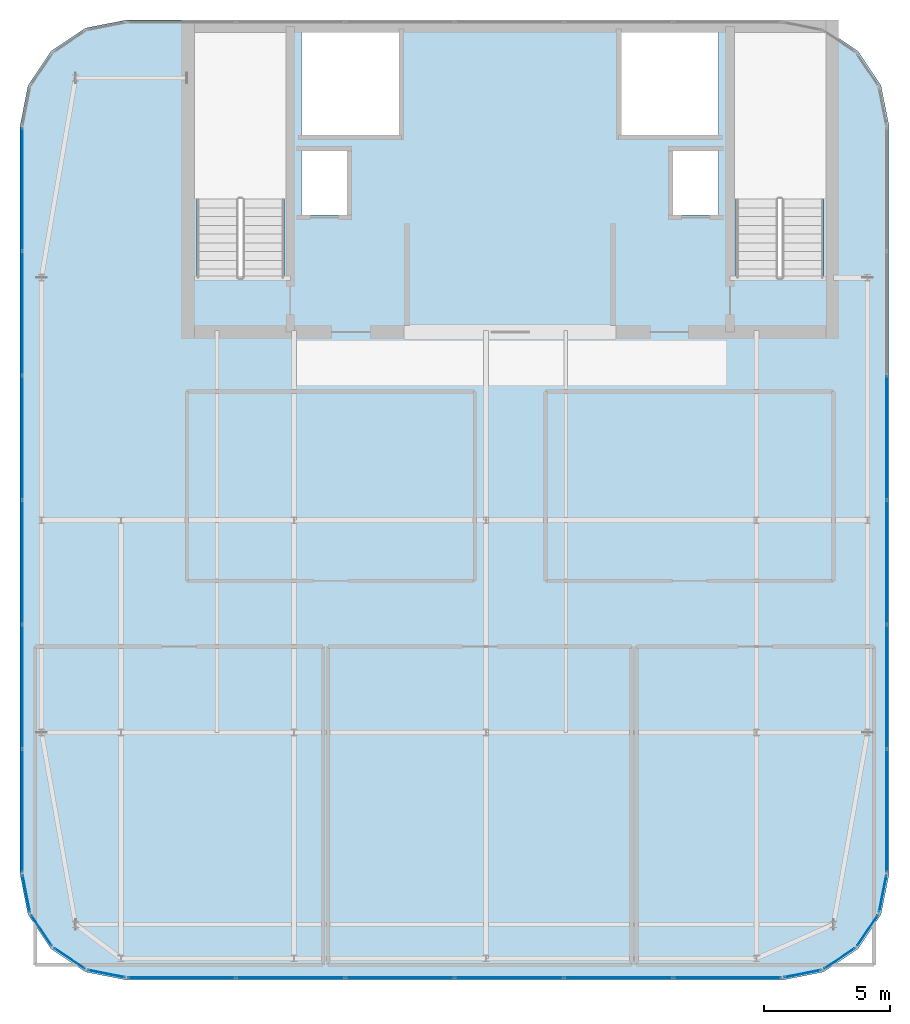
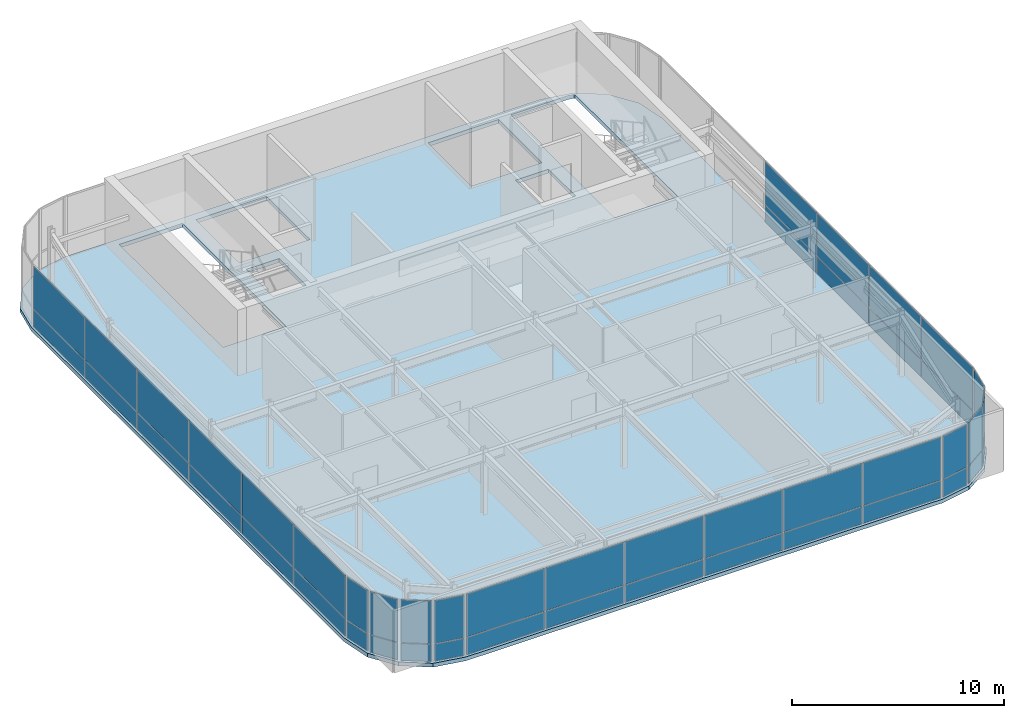
# One storey, part 29 of 36: 48 plates, 1 slab, 11 elements without a shape of their own.
"""IFC4 building model written with IfcOpenShell, lengths in metres."""

from ifc_helpers import new_model, si_unit, direction, frame, origin, origin_2d, place, context, subcontext, project, spatial, polyline, rectangle, outline, extrude, source, transform, mapped, material, layer, layer_set, type_object, type_shapes, element, aggregate, save


model = new_model("IFC4")

# Units and contexts
model_context = context("Model", 3, precision=1e-05, world=origin(), true_north=direction((0.0, 1.0)))
body_context = subcontext(model_context, "Body", "Model", "MODEL_VIEW")
ifc_project = project(units=[si_unit("LENGTHUNIT", "METRE"), si_unit("AREAUNIT", "SQUARE_METRE"), si_unit("VOLUMEUNIT", "CUBIC_METRE"), si_unit("PLANEANGLEUNIT", "RADIAN"), si_unit("MASSUNIT", "GRAM", prefix="KILO")], contexts=[model_context])

# Site, building, storey
site_placement = place(None, origin())
site = spatial("IfcSite", under=ifc_project, at=site_placement, CompositionType="ELEMENT")
building_placement = place(site_placement, origin())
building = spatial("IfcBuilding", under=site, at=building_placement, Name="Tolvann Quenvar Hotel", CompositionType="ELEMENT")
storey_placement = place(building_placement, frame((0.0, 0.0, 302.35009765625)))
storey = spatial("IfcBuildingStorey", under=building, at=storey_placement, Name="L80", CompositionType="ELEMENT", Elevation=302.35009765625)

# Slab
ifc_material_1 = material(Name="Concrete N50 (50 MPa)", Category="concrete")
ifc_layer_1 = layer(ifc_material_1, 0.219970703125)
ifc_layer_set_1 = layer_set([ifc_layer_1], Name="Concrete N50 (50 MPa)")
slab_type = type_object("IfcSlabType", Name="SLAB_UPR_220", PredefinedType="FLOOR", material=ifc_layer_set_1)
slab_placement = place(storey_placement, frame((0.0, 0.0, -0.22021484375)))
element("IfcSlab", 1, at=slab_placement, inside=storey, type_object=slab_type, Name="Level L80 Structural Floor Slab", PredefinedType="FLOOR", context=body_context, shape_type="SweptSolid", body=[
    extrude(outline(polyline([(3.60009765625, 10.39990234375), (3.919677734375, 8.792724609375), (4.830078125, 7.43017578125), (6.192626953125, 6.519775390625), (7.800048828125, 6.199951171875), (33.800048828125, 6.199951171875), (35.4072265625, 6.519775390625), (36.769775390625, 7.43017578125), (37.680419921875, 8.792724609375), (38.0, 10.39990234375), (38.0, 40.0), (37.680419921875, 41.607421875), (36.769775390625, 42.9697265625), (35.4072265625, 43.88037109375), (33.800048828125, 44.199951171875), (7.800048828125, 44.199951171875), (6.192626953125, 43.88037109375), (4.830078125, 42.9697265625), (3.919677734375, 41.607421875), (3.60009765625, 40.0), (3.60009765625, 10.39990234375)]), holes=[polyline([(35.093505859375, 43.800048828125), (35.352783203125, 43.748291015625), (35.39990234375, 43.716796875), (35.39990234375, 34.02490234375), (31.949951171875, 34.02490234375), (31.949951171875, 43.800048828125), (35.093505859375, 43.800048828125)]), polyline([(29.449951171875, 36.47998046875), (29.449951171875, 39.02001953125), (31.25, 39.02001953125), (31.25, 36.47998046875), (29.449951171875, 36.47998046875)]), polyline([(27.39990234375, 39.64990234375), (27.39990234375, 43.75), (31.25, 43.75), (31.25, 39.64990234375), (27.39990234375, 39.64990234375)]), polyline([(14.75, 39.64990234375), (14.75, 43.75), (18.60009765625, 43.75), (18.60009765625, 39.64990234375), (14.75, 39.64990234375)]), polyline([(16.550048828125, 36.47998046875), (14.75, 36.47998046875), (14.75, 39.02001953125), (16.550048828125, 39.02001953125), (16.550048828125, 36.47998046875)]), polyline([(14.050048828125, 34.02490234375), (10.60009765625, 34.02490234375), (10.60009765625, 43.800048828125), (14.050048828125, 43.800048828125), (14.050048828125, 34.02490234375)])]), origin(), (0.0, 0.0, 1.0), 0.22021484375),
])

# Curtain wall, plate
ifc_material_2 = material(Name="Thermally broken anodised architectural aluminium 6063-T6 and laminated low-E glass", Category="aluminium")
ifc_layer_2 = layer(ifc_material_2, 0.179931640625)
ifc_layer_set_2 = layer_set([ifc_layer_2], Name="Thermally broken anodised architectural aluminium 6063-T6 and laminated low-E glass")
curtain_wall_type = type_object("IfcCurtainWallType", Name="CW_SYS_LANT_06", PredefinedType="USERDEFINED", material=ifc_layer_set_2)
curtain_wall_1_placement = place(storey_placement, origin())
curtain_wall_1 = element("IfcCurtainWall", 2, at=curtain_wall_1_placement, inside=storey, type_object=curtain_wall_type, Name="Curtain Wall CW-LANT-06 (CWR-L80-E01)", ObjectType="UNITISED CURTAIN WALL", PredefinedType="USERDEFINED")
ifc_material_3 = material(Name="Diffused translucent ceramic-frit laminated lantern glass", Category="glass")
ifc_layer_3 = layer(ifc_material_3, 0.031982421875)
ifc_layer_set_3 = layer_set([ifc_layer_3], Name="Diffused translucent ceramic-frit laminated lantern glass")
plate_type = type_object("IfcPlateType", Name="CW_PAN_LANT_32", PredefinedType="CURTAIN_PANEL", material=ifc_layer_set_3)
shared_shape_1 = source(origin(), body_context, "Body", "SweptSolid", [
    extrude(rectangle(XDim=1.439208984375, YDim=0.031982421875, at=origin_2d()), origin(), (0.0, 0.0, 1.0), 0.97509765625),
])
plate_1_placement = place(storey_placement, frame((4.44970703125, 8.16162109375, 0.0498046875), z_axis=(0.0, 0.0, 1.0), x_axis=(0.555655769644, -0.831412452193, 0.0)))
plate_1 = element("IfcPlate", 3, at=plate_1_placement, type_object=plate_type, Name="CW-LANT-06 panel 1.1", PredefinedType="CURTAIN_PANEL", context=body_context, shape_type="MappedRepresentation", body=[
    mapped(shared_shape_1, transform((0.0, 0.0, 0.0), x_axis=(1.0, 0.0, 0.0), y_axis=(0.0, 1.0, 0.0), z_axis=(0.0, 0.0, 1.0), scale=1.0)),
])

curtain_wall_2_placement = place(storey_placement, origin())
curtain_wall_2 = element("IfcCurtainWall", 4, at=curtain_wall_2_placement, inside=storey, type_object=curtain_wall_type, Name="Curtain Wall CW-LANT-06 (CWR-L80-E02)", ObjectType="UNITISED CURTAIN WALL", PredefinedType="USERDEFINED")
plate_2_placement = place(storey_placement, frame((5.5615234375, 7.0498046875, 0.0498046875), z_axis=(0.0, 0.0, 1.0), x_axis=(0.831412452193, -0.555655769644, 0.0)))
plate_2 = element("IfcPlate", 5, at=plate_2_placement, type_object=plate_type, Name="CW-LANT-06 panel 1.1", PredefinedType="CURTAIN_PANEL", context=body_context, shape_type="MappedRepresentation", body=[
    mapped(shared_shape_1, transform((0.0, 0.0, 0.0), x_axis=(1.0, 0.0, 0.0), y_axis=(0.0, 1.0, 0.0), z_axis=(0.0, 0.0, 1.0), scale=1.0)),
])

curtain_wall_3_placement = place(storey_placement, origin())
curtain_wall_3 = element("IfcCurtainWall", 6, at=curtain_wall_3_placement, inside=storey, type_object=curtain_wall_type, Name="Curtain Wall CW-LANT-06 (CWR-L80-E06)", ObjectType="UNITISED CURTAIN WALL", PredefinedType="USERDEFINED")
plate_3_placement = place(storey_placement, frame((36.03857421875, 7.0498046875, 0.0498046875), z_axis=(0.0, 0.0, 1.0), x_axis=(0.831412452193, 0.555655769644, 0.0)))
plate_3 = element("IfcPlate", 7, at=plate_3_placement, type_object=plate_type, Name="CW-LANT-06 panel 1.1", PredefinedType="CURTAIN_PANEL", context=body_context, shape_type="MappedRepresentation", body=[
    mapped(shared_shape_1, transform((0.0, 0.0, 0.0), x_axis=(1.0, 0.0, 0.0), y_axis=(0.0, 1.0, 0.0), z_axis=(0.0, 0.0, 1.0), scale=1.0)),
])

curtain_wall_4_placement = place(storey_placement, origin())
curtain_wall_4 = element("IfcCurtainWall", 8, at=curtain_wall_4_placement, inside=storey, type_object=curtain_wall_type, Name="Curtain Wall CW-LANT-06 (CWR-L80-E07)", ObjectType="UNITISED CURTAIN WALL", PredefinedType="USERDEFINED")
plate_4_placement = place(storey_placement, frame((37.150146484375, 8.16162109375, 0.0498046875), z_axis=(0.0, 0.0, 1.0), x_axis=(0.555655769644, 0.831412452193, 0.0)))
plate_4 = element("IfcPlate", 9, at=plate_4_placement, type_object=plate_type, Name="CW-LANT-06 panel 1.1", PredefinedType="CURTAIN_PANEL", context=body_context, shape_type="MappedRepresentation", body=[
    mapped(shared_shape_1, transform((0.0, 0.0, 0.0), x_axis=(1.0, 0.0, 0.0), y_axis=(0.0, 1.0, 0.0), z_axis=(0.0, 0.0, 1.0), scale=1.0)),
])

# Plate
shared_shape_2 = source(origin(), body_context, "Body", "SweptSolid", [
    extrude(rectangle(XDim=1.439208984375, YDim=0.031982421875, at=origin_2d()), origin(), (0.0, 0.0, 1.0), 2.455078125),
])
plate_5_placement = place(storey_placement, frame((4.44970703125, 8.16162109375, 1.074951171875), z_axis=(0.0, 0.0, 1.0), x_axis=(0.555655769644, -0.831412452193, 0.0)))
plate_5 = element("IfcPlate", 10, at=plate_5_placement, type_object=plate_type, Name="CW-LANT-06 panel 1.2", PredefinedType="CURTAIN_PANEL", context=body_context, shape_type="MappedRepresentation", body=[
    mapped(shared_shape_2, transform((0.0, 0.0, 0.0), x_axis=(1.0, 0.0, 0.0), y_axis=(0.0, 1.0, 0.0), z_axis=(0.0, 0.0, 1.0), scale=1.0)),
])

aggregate(curtain_wall_1, [plate_1, plate_5])

plate_6_placement = place(storey_placement, frame((5.5615234375, 7.0498046875, 1.074951171875), z_axis=(0.0, 0.0, 1.0), x_axis=(0.831412452193, -0.555655769644, 0.0)))
plate_6 = element("IfcPlate", 11, at=plate_6_placement, type_object=plate_type, Name="CW-LANT-06 panel 1.2", PredefinedType="CURTAIN_PANEL", context=body_context, shape_type="MappedRepresentation", body=[
    mapped(shared_shape_2, transform((0.0, 0.0, 0.0), x_axis=(1.0, 0.0, 0.0), y_axis=(0.0, 1.0, 0.0), z_axis=(0.0, 0.0, 1.0), scale=1.0)),
])

aggregate(curtain_wall_2, [plate_2, plate_6])

plate_7_placement = place(storey_placement, frame((36.03857421875, 7.0498046875, 1.074951171875), z_axis=(0.0, 0.0, 1.0), x_axis=(0.831412452193, 0.555655769644, 0.0)))
plate_7 = element("IfcPlate", 12, at=plate_7_placement, type_object=plate_type, Name="CW-LANT-06 panel 1.2", PredefinedType="CURTAIN_PANEL", context=body_context, shape_type="MappedRepresentation", body=[
    mapped(shared_shape_2, transform((0.0, 0.0, 0.0), x_axis=(1.0, 0.0, 0.0), y_axis=(0.0, 1.0, 0.0), z_axis=(0.0, 0.0, 1.0), scale=1.0)),
])

aggregate(curtain_wall_3, [plate_3, plate_7])

plate_8_placement = place(storey_placement, frame((37.150146484375, 8.16162109375, 1.074951171875), z_axis=(0.0, 0.0, 1.0), x_axis=(0.555655769644, 0.831412452193, 0.0)))
plate_8 = element("IfcPlate", 13, at=plate_8_placement, type_object=plate_type, Name="CW-LANT-06 panel 1.2", PredefinedType="CURTAIN_PANEL", context=body_context, shape_type="MappedRepresentation", body=[
    mapped(shared_shape_2, transform((0.0, 0.0, 0.0), x_axis=(1.0, 0.0, 0.0), y_axis=(0.0, 1.0, 0.0), z_axis=(0.0, 0.0, 1.0), scale=1.0)),
])

aggregate(curtain_wall_4, [plate_4, plate_8])

# Curtain wall, plate
curtain_wall_5_placement = place(storey_placement, origin())
curtain_wall_5 = element("IfcCurtainWall", 14, at=curtain_wall_5_placement, inside=storey, type_object=curtain_wall_type, Name="Curtain Wall CW-LANT-06 (CWR-L80-E03)", ObjectType="UNITISED CURTAIN WALL", PredefinedType="USERDEFINED")
shared_shape_3 = source(origin(), body_context, "Body", "SweptSolid", [
    extrude(rectangle(XDim=1.456787109375, YDim=0.031982421875, at=origin_2d()), origin(), (0.0, 0.0, 1.0), 0.97509765625),
])
plate_9_placement = place(storey_placement, frame((7.0224609375, 6.4462890625, 0.0498046875), z_axis=(0.0, 0.0, 1.0), x_axis=(0.980790999222, -0.195061569369, 0.0)))
plate_9 = element("IfcPlate", 15, at=plate_9_placement, type_object=plate_type, Name="CW-LANT-06 panel 1.1", PredefinedType="CURTAIN_PANEL", context=body_context, shape_type="MappedRepresentation", body=[
    mapped(shared_shape_3, transform((0.0, 0.0, 0.0), x_axis=(1.0, 0.0, 0.0), y_axis=(0.0, 1.0, 0.0), z_axis=(0.0, 0.0, 1.0), scale=1.0)),
])

curtain_wall_6_placement = place(storey_placement, origin())
curtain_wall_6 = element("IfcCurtainWall", 16, at=curtain_wall_6_placement, inside=storey, type_object=curtain_wall_type, Name="Curtain Wall CW-LANT-06 (CWR-L80-E05)", ObjectType="UNITISED CURTAIN WALL", PredefinedType="USERDEFINED")
plate_10_placement = place(storey_placement, frame((34.577392578125, 6.4462890625, 0.0498046875), z_axis=(0.0, 0.0, 1.0), x_axis=(0.980790999222, 0.195061569369, 0.0)))
plate_10 = element("IfcPlate", 17, at=plate_10_placement, type_object=plate_type, Name="CW-LANT-06 panel 1.1", PredefinedType="CURTAIN_PANEL", context=body_context, shape_type="MappedRepresentation", body=[
    mapped(shared_shape_3, transform((0.0, 0.0, 0.0), x_axis=(1.0, 0.0, 0.0), y_axis=(0.0, 1.0, 0.0), z_axis=(0.0, 0.0, 1.0), scale=1.0)),
])

curtain_wall_7_placement = place(storey_placement, origin())
curtain_wall_7 = element("IfcCurtainWall", 18, at=curtain_wall_7_placement, inside=storey, type_object=curtain_wall_type, Name="Curtain Wall CW-LANT-06 (CWR-L80-E08)", ObjectType="UNITISED CURTAIN WALL", PredefinedType="USERDEFINED")
plate_11_placement = place(storey_placement, frame((37.753662109375, 9.62255859375, 0.0498046875), z_axis=(0.0, 0.0, 1.0), x_axis=(0.195061569369, 0.980790999222, 0.0)))
plate_11 = element("IfcPlate", 19, at=plate_11_placement, type_object=plate_type, Name="CW-LANT-06 panel 1.1", PredefinedType="CURTAIN_PANEL", context=body_context, shape_type="MappedRepresentation", body=[
    mapped(shared_shape_3, transform((0.0, 0.0, 0.0), x_axis=(1.0, 0.0, 0.0), y_axis=(0.0, 1.0, 0.0), z_axis=(0.0, 0.0, 1.0), scale=1.0)),
])

curtain_wall_8_placement = place(storey_placement, origin())
curtain_wall_8 = element("IfcCurtainWall", 20, at=curtain_wall_8_placement, inside=storey, type_object=curtain_wall_type, Name="Curtain Wall CW-LANT-06 (CWR-L80-E20)", ObjectType="UNITISED CURTAIN WALL", PredefinedType="USERDEFINED")
plate_12_placement = place(storey_placement, frame((3.846435546875, 9.62255859375, 0.0498046875), z_axis=(0.0, 0.0, 1.0), x_axis=(0.195061569369, -0.980790999222, 0.0)))
plate_12 = element("IfcPlate", 21, at=plate_12_placement, type_object=plate_type, Name="CW-LANT-06 panel 1.1", PredefinedType="CURTAIN_PANEL", context=body_context, shape_type="MappedRepresentation", body=[
    mapped(shared_shape_3, transform((0.0, 0.0, 0.0), x_axis=(1.0, 0.0, 0.0), y_axis=(0.0, 1.0, 0.0), z_axis=(0.0, 0.0, 1.0), scale=1.0)),
])

# Plate
shared_shape_4 = source(origin(), body_context, "Body", "SweptSolid", [
    extrude(rectangle(XDim=1.456787109375, YDim=0.031982421875, at=origin_2d()), origin(), (0.0, 0.0, 1.0), 2.455078125),
])
plate_13_placement = place(storey_placement, frame((7.0224609375, 6.4462890625, 1.074951171875), z_axis=(0.0, 0.0, 1.0), x_axis=(0.980790999222, -0.195061569369, 0.0)))
plate_13 = element("IfcPlate", 22, at=plate_13_placement, type_object=plate_type, Name="CW-LANT-06 panel 1.2", PredefinedType="CURTAIN_PANEL", context=body_context, shape_type="MappedRepresentation", body=[
    mapped(shared_shape_4, transform((0.0, 0.0, 0.0), x_axis=(1.0, 0.0, 0.0), y_axis=(0.0, 1.0, 0.0), z_axis=(0.0, 0.0, 1.0), scale=1.0)),
])

aggregate(curtain_wall_5, [plate_9, plate_13])

plate_14_placement = place(storey_placement, frame((34.577392578125, 6.4462890625, 1.074951171875), z_axis=(0.0, 0.0, 1.0), x_axis=(0.980790999222, 0.195061569369, 0.0)))
plate_14 = element("IfcPlate", 23, at=plate_14_placement, type_object=plate_type, Name="CW-LANT-06 panel 1.2", PredefinedType="CURTAIN_PANEL", context=body_context, shape_type="MappedRepresentation", body=[
    mapped(shared_shape_4, transform((0.0, 0.0, 0.0), x_axis=(1.0, 0.0, 0.0), y_axis=(0.0, 1.0, 0.0), z_axis=(0.0, 0.0, 1.0), scale=1.0)),
])

aggregate(curtain_wall_6, [plate_10, plate_14])

plate_15_placement = place(storey_placement, frame((37.753662109375, 9.62255859375, 1.074951171875), z_axis=(0.0, 0.0, 1.0), x_axis=(0.195061569369, 0.980790999222, 0.0)))
plate_15 = element("IfcPlate", 24, at=plate_15_placement, type_object=plate_type, Name="CW-LANT-06 panel 1.2", PredefinedType="CURTAIN_PANEL", context=body_context, shape_type="MappedRepresentation", body=[
    mapped(shared_shape_4, transform((0.0, 0.0, 0.0), x_axis=(1.0, 0.0, 0.0), y_axis=(0.0, 1.0, 0.0), z_axis=(0.0, 0.0, 1.0), scale=1.0)),
])

aggregate(curtain_wall_7, [plate_11, plate_15])

plate_16_placement = place(storey_placement, frame((3.846435546875, 9.62255859375, 1.074951171875), z_axis=(0.0, 0.0, 1.0), x_axis=(0.195061569369, -0.980790999222, 0.0)))
plate_16 = element("IfcPlate", 25, at=plate_16_placement, type_object=plate_type, Name="CW-LANT-06 panel 1.2", PredefinedType="CURTAIN_PANEL", context=body_context, shape_type="MappedRepresentation", body=[
    mapped(shared_shape_4, transform((0.0, 0.0, 0.0), x_axis=(1.0, 0.0, 0.0), y_axis=(0.0, 1.0, 0.0), z_axis=(0.0, 0.0, 1.0), scale=1.0)),
])

aggregate(curtain_wall_8, [plate_12, plate_16])

# Curtain wall, plates
curtain_wall_9_placement = place(storey_placement, origin())
curtain_wall_9 = element("IfcCurtainWall", 26, at=curtain_wall_9_placement, inside=storey, type_object=curtain_wall_type, Name="Curtain Wall CW-LANT-06 (CWR-L80-E04)", ObjectType="UNITISED CURTAIN WALL", PredefinedType="USERDEFINED")
shared_shape_5 = source(origin(), body_context, "Body", "SweptSolid", [
    extrude(rectangle(XDim=4.22998046875, YDim=0.031982421875, at=origin_2d()), origin(), (0.0, 0.0, 1.0), 0.97509765625),
])
plate_17_placement = place(storey_placement, frame((9.997314453125, 6.2900390625, 0.0498046875), z_axis=(0.0, 0.0, 1.0), x_axis=(1.0, 0.0, 0.0)))
plate_17 = element("IfcPlate", 27, at=plate_17_placement, type_object=plate_type, Name="CW-LANT-06 panel 1.1", PredefinedType="CURTAIN_PANEL", context=body_context, shape_type="MappedRepresentation", body=[
    mapped(shared_shape_5, transform((0.0, 0.0, 0.0), x_axis=(1.0, 0.0, 0.0), y_axis=(0.0, 1.0, 0.0), z_axis=(0.0, 0.0, 1.0), scale=1.0)),
])
plate_18_placement = place(storey_placement, frame((31.602783203125, 6.2900390625, 0.0498046875), z_axis=(0.0, 0.0, 1.0), x_axis=(1.0, 0.0, 0.0)))
plate_18 = element("IfcPlate", 28, at=plate_18_placement, type_object=plate_type, Name="CW-LANT-06 panel 6.1", PredefinedType="CURTAIN_PANEL", context=body_context, shape_type="MappedRepresentation", body=[
    mapped(shared_shape_5, transform((0.0, 0.0, 0.0), x_axis=(1.0, 0.0, 0.0), y_axis=(0.0, 1.0, 0.0), z_axis=(0.0, 0.0, 1.0), scale=1.0)),
])
shared_shape_6 = source(origin(), body_context, "Body", "SweptSolid", [
    extrude(rectangle(XDim=4.22998046875, YDim=0.031982421875, at=origin_2d()), origin(), (0.0, 0.0, 1.0), 2.455078125),
])
plate_19_placement = place(storey_placement, frame((9.997314453125, 6.2900390625, 1.074951171875), z_axis=(0.0, 0.0, 1.0), x_axis=(1.0, 0.0, 0.0)))
plate_19 = element("IfcPlate", 29, at=plate_19_placement, type_object=plate_type, Name="CW-LANT-06 panel 1.2", PredefinedType="CURTAIN_PANEL", context=body_context, shape_type="MappedRepresentation", body=[
    mapped(shared_shape_6, transform((0.0, 0.0, 0.0), x_axis=(1.0, 0.0, 0.0), y_axis=(0.0, 1.0, 0.0), z_axis=(0.0, 0.0, 1.0), scale=1.0)),
])
plate_20_placement = place(storey_placement, frame((31.602783203125, 6.2900390625, 1.074951171875), z_axis=(0.0, 0.0, 1.0), x_axis=(1.0, 0.0, 0.0)))
plate_20 = element("IfcPlate", 30, at=plate_20_placement, type_object=plate_type, Name="CW-LANT-06 panel 6.2", PredefinedType="CURTAIN_PANEL", context=body_context, shape_type="MappedRepresentation", body=[
    mapped(shared_shape_6, transform((0.0, 0.0, 0.0), x_axis=(1.0, 0.0, 0.0), y_axis=(0.0, 1.0, 0.0), z_axis=(0.0, 0.0, 1.0), scale=1.0)),
])
shared_shape_7 = source(origin(), body_context, "Body", "SweptSolid", [
    extrude(rectangle(XDim=4.2626953125, YDim=0.031982421875, at=origin_2d()), origin(), (0.0, 0.0, 1.0), 0.97509765625),
])
plate_21_placement = place(storey_placement, frame((14.30859375, 6.2900390625, 0.0498046875), z_axis=(0.0, 0.0, 1.0), x_axis=(1.0, 0.0, 0.0)))
plate_21 = element("IfcPlate", 31, at=plate_21_placement, type_object=plate_type, Name="CW-LANT-06 panel 2.1", PredefinedType="CURTAIN_PANEL", context=body_context, shape_type="MappedRepresentation", body=[
    mapped(shared_shape_7, transform((0.0, 0.0, 0.0), x_axis=(1.0, 0.0, 0.0), y_axis=(0.0, 1.0, 0.0), z_axis=(0.0, 0.0, 1.0), scale=1.0)),
])
plate_22_placement = place(storey_placement, frame((18.63623046875, 6.2900390625, 0.0498046875), z_axis=(0.0, 0.0, 1.0), x_axis=(1.0, 0.0, 0.0)))
plate_22 = element("IfcPlate", 32, at=plate_22_placement, type_object=plate_type, Name="CW-LANT-06 panel 3.1", PredefinedType="CURTAIN_PANEL", context=body_context, shape_type="MappedRepresentation", body=[
    mapped(shared_shape_7, transform((0.0, 0.0, 0.0), x_axis=(1.0, 0.0, 0.0), y_axis=(0.0, 1.0, 0.0), z_axis=(0.0, 0.0, 1.0), scale=1.0)),
])
plate_23_placement = place(storey_placement, frame((22.9638671875, 6.2900390625, 0.0498046875), z_axis=(0.0, 0.0, 1.0), x_axis=(1.0, 0.0, 0.0)))
plate_23 = element("IfcPlate", 33, at=plate_23_placement, type_object=plate_type, Name="CW-LANT-06 panel 4.1", PredefinedType="CURTAIN_PANEL", context=body_context, shape_type="MappedRepresentation", body=[
    mapped(shared_shape_7, transform((0.0, 0.0, 0.0), x_axis=(1.0, 0.0, 0.0), y_axis=(0.0, 1.0, 0.0), z_axis=(0.0, 0.0, 1.0), scale=1.0)),
])
plate_24_placement = place(storey_placement, frame((27.29150390625, 6.2900390625, 0.0498046875), z_axis=(0.0, 0.0, 1.0), x_axis=(1.0, 0.0, 0.0)))
plate_24 = element("IfcPlate", 34, at=plate_24_placement, type_object=plate_type, Name="CW-LANT-06 panel 5.1", PredefinedType="CURTAIN_PANEL", context=body_context, shape_type="MappedRepresentation", body=[
    mapped(shared_shape_7, transform((0.0, 0.0, 0.0), x_axis=(1.0, 0.0, 0.0), y_axis=(0.0, 1.0, 0.0), z_axis=(0.0, 0.0, 1.0), scale=1.0)),
])
shared_shape_8 = source(origin(), body_context, "Body", "SweptSolid", [
    extrude(rectangle(XDim=4.2626953125, YDim=0.031982421875, at=origin_2d()), origin(), (0.0, 0.0, 1.0), 2.455078125),
])
plate_25_placement = place(storey_placement, frame((14.30859375, 6.2900390625, 1.074951171875), z_axis=(0.0, 0.0, 1.0), x_axis=(1.0, 0.0, 0.0)))
plate_25 = element("IfcPlate", 35, at=plate_25_placement, type_object=plate_type, Name="CW-LANT-06 panel 2.2", PredefinedType="CURTAIN_PANEL", context=body_context, shape_type="MappedRepresentation", body=[
    mapped(shared_shape_8, transform((0.0, 0.0, 0.0), x_axis=(1.0, 0.0, 0.0), y_axis=(0.0, 1.0, 0.0), z_axis=(0.0, 0.0, 1.0), scale=1.0)),
])
plate_26_placement = place(storey_placement, frame((18.63623046875, 6.2900390625, 1.074951171875), z_axis=(0.0, 0.0, 1.0), x_axis=(1.0, 0.0, 0.0)))
plate_26 = element("IfcPlate", 36, at=plate_26_placement, type_object=plate_type, Name="CW-LANT-06 panel 3.2", PredefinedType="CURTAIN_PANEL", context=body_context, shape_type="MappedRepresentation", body=[
    mapped(shared_shape_8, transform((0.0, 0.0, 0.0), x_axis=(1.0, 0.0, 0.0), y_axis=(0.0, 1.0, 0.0), z_axis=(0.0, 0.0, 1.0), scale=1.0)),
])
plate_27_placement = place(storey_placement, frame((22.9638671875, 6.2900390625, 1.074951171875), z_axis=(0.0, 0.0, 1.0), x_axis=(1.0, 0.0, 0.0)))
plate_27 = element("IfcPlate", 37, at=plate_27_placement, type_object=plate_type, Name="CW-LANT-06 panel 4.2", PredefinedType="CURTAIN_PANEL", context=body_context, shape_type="MappedRepresentation", body=[
    mapped(shared_shape_8, transform((0.0, 0.0, 0.0), x_axis=(1.0, 0.0, 0.0), y_axis=(0.0, 1.0, 0.0), z_axis=(0.0, 0.0, 1.0), scale=1.0)),
])
plate_28_placement = place(storey_placement, frame((27.29150390625, 6.2900390625, 1.074951171875), z_axis=(0.0, 0.0, 1.0), x_axis=(1.0, 0.0, 0.0)))
plate_28 = element("IfcPlate", 38, at=plate_28_placement, type_object=plate_type, Name="CW-LANT-06 panel 5.2", PredefinedType="CURTAIN_PANEL", context=body_context, shape_type="MappedRepresentation", body=[
    mapped(shared_shape_8, transform((0.0, 0.0, 0.0), x_axis=(1.0, 0.0, 0.0), y_axis=(0.0, 1.0, 0.0), z_axis=(0.0, 0.0, 1.0), scale=1.0)),
])
aggregate(curtain_wall_9, [plate_17, plate_19, plate_21, plate_25, plate_22, plate_26, plate_23, plate_27, plate_24, plate_28, plate_18, plate_20])

# Curtain wall, plate
curtain_wall_10_placement = place(storey_placement, origin())
curtain_wall_10 = element("IfcCurtainWall", 39, at=curtain_wall_10_placement, inside=storey, type_object=curtain_wall_type, Name="Curtain Wall CW-LANT-06 (CWR-L80-E09)", ObjectType="UNITISED CURTAIN WALL", PredefinedType="USERDEFINED")
shared_shape_9 = source(origin(), body_context, "Body", "SweptSolid", [
    extrude(rectangle(XDim=4.830078125, YDim=0.031982421875, at=origin_2d()), origin(), (0.0, 0.0, 1.0), 0.97509765625),
])
plate_29_placement = place(storey_placement, frame((37.909912109375, 12.897216796875, 0.0498046875), z_axis=(0.0, 0.0, 1.0), x_axis=(0.0, 1.0, 0.0)))
plate_29 = element("IfcPlate", 40, at=plate_29_placement, type_object=plate_type, Name="CW-LANT-06 panel 1.1", PredefinedType="CURTAIN_PANEL", context=body_context, shape_type="MappedRepresentation", body=[
    mapped(shared_shape_9, transform((0.0, 0.0, 0.0), x_axis=(1.0, 0.0, 0.0), y_axis=(0.0, 1.0, 0.0), z_axis=(0.0, 0.0, 1.0), scale=1.0)),
])

# Curtain wall, plates
curtain_wall_11_placement = place(storey_placement, origin())
curtain_wall_11 = element("IfcCurtainWall", 41, at=curtain_wall_11_placement, inside=storey, type_object=curtain_wall_type, Name="Curtain Wall CW-LANT-06 (CWR-L80-E19)", ObjectType="UNITISED CURTAIN WALL", PredefinedType="USERDEFINED")
plate_30_placement = place(storey_placement, frame((3.68994140625, 37.502685546875, 0.0498046875), z_axis=(0.0, 0.0, 1.0), x_axis=(0.0, -1.0, 0.0)))
plate_30 = element("IfcPlate", 42, at=plate_30_placement, type_object=plate_type, Name="CW-LANT-06 panel 1.1", PredefinedType="CURTAIN_PANEL", context=body_context, shape_type="MappedRepresentation", body=[
    mapped(shared_shape_9, transform((0.0, 0.0, 0.0), x_axis=(1.0, 0.0, 0.0), y_axis=(0.0, 1.0, 0.0), z_axis=(0.0, 0.0, 1.0), scale=1.0)),
])
plate_31_placement = place(storey_placement, frame((3.68994140625, 12.897216796875, 0.0498046875), z_axis=(0.0, 0.0, 1.0), x_axis=(0.0, -1.0, 0.0)))
plate_31 = element("IfcPlate", 43, at=plate_31_placement, type_object=plate_type, Name="CW-LANT-06 panel 6.1", PredefinedType="CURTAIN_PANEL", context=body_context, shape_type="MappedRepresentation", body=[
    mapped(shared_shape_9, transform((0.0, 0.0, 0.0), x_axis=(1.0, 0.0, 0.0), y_axis=(0.0, 1.0, 0.0), z_axis=(0.0, 0.0, 1.0), scale=1.0)),
])

# Plate
shared_shape_10 = source(origin(), body_context, "Body", "SweptSolid", [
    extrude(rectangle(XDim=4.830078125, YDim=0.031982421875, at=origin_2d()), origin(), (0.0, 0.0, 1.0), 2.455078125),
])
plate_32_placement = place(storey_placement, frame((37.909912109375, 12.897216796875, 1.074951171875), z_axis=(0.0, 0.0, 1.0), x_axis=(0.0, 1.0, 0.0)))
plate_32 = element("IfcPlate", 44, at=plate_32_placement, type_object=plate_type, Name="CW-LANT-06 panel 1.2", PredefinedType="CURTAIN_PANEL", context=body_context, shape_type="MappedRepresentation", body=[
    mapped(shared_shape_10, transform((0.0, 0.0, 0.0), x_axis=(1.0, 0.0, 0.0), y_axis=(0.0, 1.0, 0.0), z_axis=(0.0, 0.0, 1.0), scale=1.0)),
])

plate_33_placement = place(storey_placement, frame((3.68994140625, 37.502685546875, 1.074951171875), z_axis=(0.0, 0.0, 1.0), x_axis=(0.0, -1.0, 0.0)))
plate_33 = element("IfcPlate", 45, at=plate_33_placement, type_object=plate_type, Name="CW-LANT-06 panel 1.2", PredefinedType="CURTAIN_PANEL", context=body_context, shape_type="MappedRepresentation", body=[
    mapped(shared_shape_10, transform((0.0, 0.0, 0.0), x_axis=(1.0, 0.0, 0.0), y_axis=(0.0, 1.0, 0.0), z_axis=(0.0, 0.0, 1.0), scale=1.0)),
])

plate_34_placement = place(storey_placement, frame((3.68994140625, 12.897216796875, 1.074951171875), z_axis=(0.0, 0.0, 1.0), x_axis=(0.0, -1.0, 0.0)))
plate_34 = element("IfcPlate", 46, at=plate_34_placement, type_object=plate_type, Name="CW-LANT-06 panel 6.2", PredefinedType="CURTAIN_PANEL", context=body_context, shape_type="MappedRepresentation", body=[
    mapped(shared_shape_10, transform((0.0, 0.0, 0.0), x_axis=(1.0, 0.0, 0.0), y_axis=(0.0, 1.0, 0.0), z_axis=(0.0, 0.0, 1.0), scale=1.0)),
])

shared_shape_11 = source(origin(), body_context, "Body", "SweptSolid", [
    extrude(rectangle(XDim=4.862548828125, YDim=0.031982421875, at=origin_2d()), origin(), (0.0, 0.0, 1.0), 0.97509765625),
])
plate_35_placement = place(storey_placement, frame((37.909912109375, 17.80859375, 0.0498046875), z_axis=(0.0, 0.0, 1.0), x_axis=(0.0, 1.0, 0.0)))
plate_35 = element("IfcPlate", 47, at=plate_35_placement, type_object=plate_type, Name="CW-LANT-06 panel 2.1", PredefinedType="CURTAIN_PANEL", context=body_context, shape_type="MappedRepresentation", body=[
    mapped(shared_shape_11, transform((0.0, 0.0, 0.0), x_axis=(1.0, 0.0, 0.0), y_axis=(0.0, 1.0, 0.0), z_axis=(0.0, 0.0, 1.0), scale=1.0)),
])

plate_36_placement = place(storey_placement, frame((37.909912109375, 22.736083984375, 0.0498046875), z_axis=(0.0, 0.0, 1.0), x_axis=(0.0, 1.0, 0.0)))
plate_36 = element("IfcPlate", 48, at=plate_36_placement, type_object=plate_type, Name="CW-LANT-06 panel 3.1", PredefinedType="CURTAIN_PANEL", context=body_context, shape_type="MappedRepresentation", body=[
    mapped(shared_shape_11, transform((0.0, 0.0, 0.0), x_axis=(1.0, 0.0, 0.0), y_axis=(0.0, 1.0, 0.0), z_axis=(0.0, 0.0, 1.0), scale=1.0)),
])

plate_37_placement = place(storey_placement, frame((37.909912109375, 27.663818359375, 0.0498046875), z_axis=(0.0, 0.0, 1.0), x_axis=(0.0, 1.0, 0.0)))
plate_37 = element("IfcPlate", 49, at=plate_37_placement, type_object=plate_type, Name="CW-LANT-06 panel 4.1", PredefinedType="CURTAIN_PANEL", context=body_context, shape_type="MappedRepresentation", body=[
    mapped(shared_shape_11, transform((0.0, 0.0, 0.0), x_axis=(1.0, 0.0, 0.0), y_axis=(0.0, 1.0, 0.0), z_axis=(0.0, 0.0, 1.0), scale=1.0)),
])

plate_38_placement = place(storey_placement, frame((3.68994140625, 32.59130859375, 0.0498046875), z_axis=(0.0, 0.0, 1.0), x_axis=(0.0, -1.0, 0.0)))
plate_38 = element("IfcPlate", 50, at=plate_38_placement, type_object=plate_type, Name="CW-LANT-06 panel 2.1", PredefinedType="CURTAIN_PANEL", context=body_context, shape_type="MappedRepresentation", body=[
    mapped(shared_shape_11, transform((0.0, 0.0, 0.0), x_axis=(1.0, 0.0, 0.0), y_axis=(0.0, 1.0, 0.0), z_axis=(0.0, 0.0, 1.0), scale=1.0)),
])

plate_39_placement = place(storey_placement, frame((3.68994140625, 27.663818359375, 0.0498046875), z_axis=(0.0, 0.0, 1.0), x_axis=(0.0, -1.0, 0.0)))
plate_39 = element("IfcPlate", 51, at=plate_39_placement, type_object=plate_type, Name="CW-LANT-06 panel 3.1", PredefinedType="CURTAIN_PANEL", context=body_context, shape_type="MappedRepresentation", body=[
    mapped(shared_shape_11, transform((0.0, 0.0, 0.0), x_axis=(1.0, 0.0, 0.0), y_axis=(0.0, 1.0, 0.0), z_axis=(0.0, 0.0, 1.0), scale=1.0)),
])

plate_40_placement = place(storey_placement, frame((3.68994140625, 22.736083984375, 0.0498046875), z_axis=(0.0, 0.0, 1.0), x_axis=(0.0, -1.0, 0.0)))
plate_40 = element("IfcPlate", 52, at=plate_40_placement, type_object=plate_type, Name="CW-LANT-06 panel 4.1", PredefinedType="CURTAIN_PANEL", context=body_context, shape_type="MappedRepresentation", body=[
    mapped(shared_shape_11, transform((0.0, 0.0, 0.0), x_axis=(1.0, 0.0, 0.0), y_axis=(0.0, 1.0, 0.0), z_axis=(0.0, 0.0, 1.0), scale=1.0)),
])

plate_41_placement = place(storey_placement, frame((3.68994140625, 17.80859375, 0.0498046875), z_axis=(0.0, 0.0, 1.0), x_axis=(0.0, -1.0, 0.0)))
plate_41 = element("IfcPlate", 53, at=plate_41_placement, type_object=plate_type, Name="CW-LANT-06 panel 5.1", PredefinedType="CURTAIN_PANEL", context=body_context, shape_type="MappedRepresentation", body=[
    mapped(shared_shape_11, transform((0.0, 0.0, 0.0), x_axis=(1.0, 0.0, 0.0), y_axis=(0.0, 1.0, 0.0), z_axis=(0.0, 0.0, 1.0), scale=1.0)),
])

shared_shape_12 = source(origin(), body_context, "Body", "SweptSolid", [
    extrude(rectangle(XDim=4.862548828125, YDim=0.031982421875, at=origin_2d()), origin(), (0.0, 0.0, 1.0), 2.455078125),
])
type_shapes(plate_type, [shared_shape_1, shared_shape_2, shared_shape_3, shared_shape_4, shared_shape_5, shared_shape_6, shared_shape_7, shared_shape_8, shared_shape_9, shared_shape_10, shared_shape_11, shared_shape_12])
plate_42_placement = place(storey_placement, frame((37.909912109375, 17.80859375, 1.074951171875), z_axis=(0.0, 0.0, 1.0), x_axis=(0.0, 1.0, 0.0)))
plate_42 = element("IfcPlate", 54, at=plate_42_placement, type_object=plate_type, Name="CW-LANT-06 panel 2.2", PredefinedType="CURTAIN_PANEL", context=body_context, shape_type="MappedRepresentation", body=[
    mapped(shared_shape_12, transform((0.0, 0.0, 0.0), x_axis=(1.0, 0.0, 0.0), y_axis=(0.0, 1.0, 0.0), z_axis=(0.0, 0.0, 1.0), scale=1.0)),
])

plate_43_placement = place(storey_placement, frame((37.909912109375, 22.736083984375, 1.074951171875), z_axis=(0.0, 0.0, 1.0), x_axis=(0.0, 1.0, 0.0)))
plate_43 = element("IfcPlate", 55, at=plate_43_placement, type_object=plate_type, Name="CW-LANT-06 panel 3.2", PredefinedType="CURTAIN_PANEL", context=body_context, shape_type="MappedRepresentation", body=[
    mapped(shared_shape_12, transform((0.0, 0.0, 0.0), x_axis=(1.0, 0.0, 0.0), y_axis=(0.0, 1.0, 0.0), z_axis=(0.0, 0.0, 1.0), scale=1.0)),
])

plate_44_placement = place(storey_placement, frame((37.909912109375, 27.663818359375, 1.074951171875), z_axis=(0.0, 0.0, 1.0), x_axis=(0.0, 1.0, 0.0)))
plate_44 = element("IfcPlate", 56, at=plate_44_placement, type_object=plate_type, Name="CW-LANT-06 panel 4.2", PredefinedType="CURTAIN_PANEL", context=body_context, shape_type="MappedRepresentation", body=[
    mapped(shared_shape_12, transform((0.0, 0.0, 0.0), x_axis=(1.0, 0.0, 0.0), y_axis=(0.0, 1.0, 0.0), z_axis=(0.0, 0.0, 1.0), scale=1.0)),
])

aggregate(curtain_wall_10, [plate_29, plate_32, plate_35, plate_42, plate_36, plate_43, plate_37, plate_44])

plate_45_placement = place(storey_placement, frame((3.68994140625, 32.59130859375, 1.074951171875), z_axis=(0.0, 0.0, 1.0), x_axis=(0.0, -1.0, 0.0)))
plate_45 = element("IfcPlate", 57, at=plate_45_placement, type_object=plate_type, Name="CW-LANT-06 panel 2.2", PredefinedType="CURTAIN_PANEL", context=body_context, shape_type="MappedRepresentation", body=[
    mapped(shared_shape_12, transform((0.0, 0.0, 0.0), x_axis=(1.0, 0.0, 0.0), y_axis=(0.0, 1.0, 0.0), z_axis=(0.0, 0.0, 1.0), scale=1.0)),
])

plate_46_placement = place(storey_placement, frame((3.68994140625, 27.663818359375, 1.074951171875), z_axis=(0.0, 0.0, 1.0), x_axis=(0.0, -1.0, 0.0)))
plate_46 = element("IfcPlate", 58, at=plate_46_placement, type_object=plate_type, Name="CW-LANT-06 panel 3.2", PredefinedType="CURTAIN_PANEL", context=body_context, shape_type="MappedRepresentation", body=[
    mapped(shared_shape_12, transform((0.0, 0.0, 0.0), x_axis=(1.0, 0.0, 0.0), y_axis=(0.0, 1.0, 0.0), z_axis=(0.0, 0.0, 1.0), scale=1.0)),
])

plate_47_placement = place(storey_placement, frame((3.68994140625, 22.736083984375, 1.074951171875), z_axis=(0.0, 0.0, 1.0), x_axis=(0.0, -1.0, 0.0)))
plate_47 = element("IfcPlate", 59, at=plate_47_placement, type_object=plate_type, Name="CW-LANT-06 panel 4.2", PredefinedType="CURTAIN_PANEL", context=body_context, shape_type="MappedRepresentation", body=[
    mapped(shared_shape_12, transform((0.0, 0.0, 0.0), x_axis=(1.0, 0.0, 0.0), y_axis=(0.0, 1.0, 0.0), z_axis=(0.0, 0.0, 1.0), scale=1.0)),
])

plate_48_placement = place(storey_placement, frame((3.68994140625, 17.80859375, 1.074951171875), z_axis=(0.0, 0.0, 1.0), x_axis=(0.0, -1.0, 0.0)))
plate_48 = element("IfcPlate", 60, at=plate_48_placement, type_object=plate_type, Name="CW-LANT-06 panel 5.2", PredefinedType="CURTAIN_PANEL", context=body_context, shape_type="MappedRepresentation", body=[
    mapped(shared_shape_12, transform((0.0, 0.0, 0.0), x_axis=(1.0, 0.0, 0.0), y_axis=(0.0, 1.0, 0.0), z_axis=(0.0, 0.0, 1.0), scale=1.0)),
])

aggregate(curtain_wall_11, [plate_30, plate_33, plate_38, plate_45, plate_39, plate_46, plate_40, plate_47, plate_41, plate_48, plate_31, plate_34])

save(model, "model.ifc")
